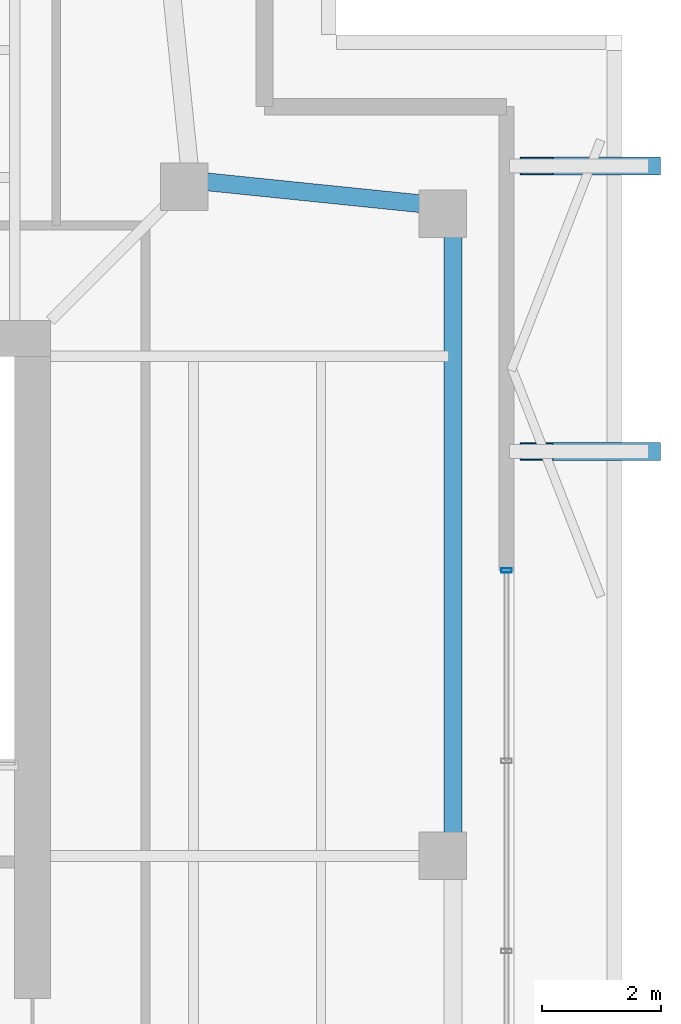
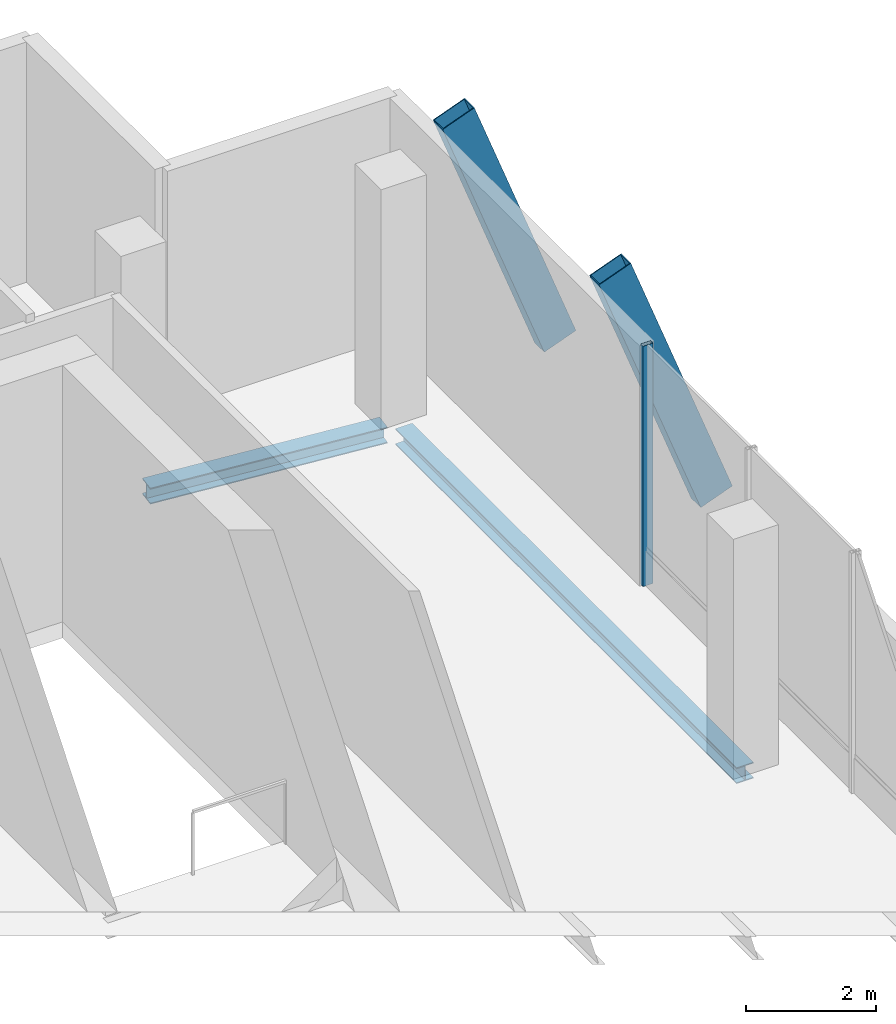
# One storey, part 9 of 15: 3 members, 2 beams, 1 element without a shape of its own.
"""IFC4 building model written with IfcOpenShell, lengths in metres."""

from ifc_helpers import new_model, si_unit, direction, frame, origin, origin_2d, place, context, subcontext, project, spatial, hollow_rectangle, i_section, extrude, material, layer, layer_set, material_profile, profile_set, type_object, element, aggregate, save


model = new_model("IFC4")

# Units and contexts
model_context = context("Model", 3, precision=1e-05, world=origin(), true_north=direction((0.0, 1.0)))
body_context = subcontext(model_context, "Body", "Model", "MODEL_VIEW")
ifc_project = project(units=[si_unit("LENGTHUNIT", "METRE"), si_unit("AREAUNIT", "SQUARE_METRE"), si_unit("VOLUMEUNIT", "CUBIC_METRE"), si_unit("PLANEANGLEUNIT", "RADIAN"), si_unit("MASSUNIT", "GRAM", prefix="KILO")], contexts=[model_context])

# Site, building, storey
site_placement = place(None, origin())
site = spatial("IfcSite", under=ifc_project, at=site_placement, CompositionType="ELEMENT")
building_placement = place(site_placement, origin())
building = spatial("IfcBuilding", under=site, at=building_placement, Name="Belovzor Exchange Tower", CompositionType="ELEMENT")
storey_placement = place(building_placement, frame((0.0, 0.0, 373.800048828125)))
storey = spatial("IfcBuildingStorey", under=building, at=storey_placement, Name="L93", CompositionType="ELEMENT", Elevation=373.800048828125)

# Beams
ifc_material_1 = material(Name="Steel S355", Category="steel")
ifc_material_profile_1 = material_profile(ifc_material_1, i_section(OverallWidth=0.300048828125, OverallDepth=0.300048828125, WebThickness=0.010986328125, FlangeThickness=0.01904296875, at=origin_2d()))
ifc_profile_set_1 = profile_set([ifc_material_profile_1], Name="Steel S355")
beam_type = type_object("IfcBeamType", Name="Crown Plant Primary Beam HEB 300", PredefinedType="BEAM", material=ifc_profile_set_1)
beam_1_placement = place(storey_placement, frame((44.569091796875, 29.02001953125, -0.449951171875), z_axis=(0.0, 1.0, 0.0), x_axis=(-1.0, 0.0, 0.0)))
element("IfcBeam", 1, at=beam_1_placement, inside=storey, type_object=beam_type, Name="FG-CR Crown Plant Primary Beam HEB 300", PredefinedType="BEAM", context=body_context, shape_type="SweptSolid", body=[
    extrude(i_section(OverallWidth=0.300048828125, OverallDepth=0.300048828125, WebThickness=0.010986328125, FlangeThickness=0.01904296875, at=origin_2d()), origin(), (0.0, 0.0, 1.0), 10.471923828125),
])
beam_2_placement = place(storey_placement, frame((44.35009765625, 39.73388671875, -0.449951171875), z_axis=(-0.994808635293, 0.101763348742, 0.0), x_axis=(-0.101763348742, -0.994808635293, 0.0)))
element("IfcBeam", 2, at=beam_2_placement, inside=storey, type_object=beam_type, Name="FG-CR Crown Plant Primary Beam HEB 300", PredefinedType="BEAM", context=body_context, shape_type="SweptSolid", body=[
    extrude(i_section(OverallWidth=0.300048828125, OverallDepth=0.300048828125, WebThickness=0.010986328125, FlangeThickness=0.01904296875, at=origin_2d()), origin(), (0.0, 0.0, 1.0), 3.98974609375),
])

# Curtain wall, member
ifc_material_2 = material(Name="Anodised Aluminium Framing", Category="aluminium")
ifc_layer = layer(ifc_material_2, 0.169921875)
ifc_layer_set = layer_set([ifc_layer], Name="Anodised Aluminium Framing")
curtain_wall_type = type_object("IfcCurtainWallType", Name="Stepped Crown Faceted Lantern Curtain Wall", PredefinedType="NOTDEFINED", material=ifc_layer_set)
curtain_wall_placement = place(storey_placement, origin())
curtain_wall = element("IfcCurtainWall", 3, at=curtain_wall_placement, inside=storey, type_object=curtain_wall_type, Name="CW6 Stepped Crown Faceted Lantern Curtain Wall L93", PredefinedType="NOTDEFINED")
ifc_material_3 = material(Name="Steel S355", Category="steel")
ifc_material_profile_2 = material_profile(ifc_material_3, hollow_rectangle(XDim=0.074951171875, YDim=0.179931640625, WallThickness=0.0048828125, at=origin_2d()))
ifc_profile_set_2 = profile_set([ifc_material_profile_2], Name="Steel S355")
member_type_1 = type_object("IfcMemberType", Name="Thermally Broken Curtain Wall Mullion 180x75", PredefinedType="MULLION", material=ifc_profile_set_2)
member_placement = place(storey_placement, frame((45.469970703125, 33.60009765625, 0.0), z_axis=(0.0, 0.0, 1.0), x_axis=(0.0, -1.0, 0.0)))
member = element("IfcMember", 4, at=member_placement, type_object=member_type_1, Name="CW-M180 Curtain Wall Mullion 1", PredefinedType="MULLION", context=body_context, shape_type="SweptSolid", body=[
    extrude(hollow_rectangle(XDim=0.074951171875, YDim=0.179931640625, WallThickness=0.0048828125, at=origin_2d()), origin(), (0.0, 0.0, 1.0), 4.5),
])
aggregate(curtain_wall, [member])

# Members
ifc_material_4 = material(Name="Extruded Architectural Terracotta on Steel S355 Carrier", Category="masonry")
ifc_material_profile_3 = material_profile(ifc_material_4, hollow_rectangle(XDim=0.300048828125, YDim=0.60009765625, WallThickness=0.01611328125, at=origin_2d()))
ifc_profile_set_3 = profile_set([ifc_material_profile_3], Name="Extruded Architectural Terracotta on Steel S355 Carrier")
member_type_2 = type_object("IfcMemberType", Name="Upper Crown Terracotta Fin Assembly 550", PredefinedType="USERDEFINED", material=ifc_profile_set_3)
for number, where, z_axis, x_axis, name in (
    (5, (47.77490234375, 35.60009765625, -0.300048828125), (-0.351086907552, 0.0, 0.93634287702), (0.0, -1.0, 0.0), "FIN-TC055 Terracotta Facade Fin L93 E3"),
    (6, (47.77490234375, 40.39990234375, -0.300048828125), (-0.351086907552, 0.0, 0.93634287702), (0.0, -1.0, 0.0), "FIN-TC055 Terracotta Facade Fin L93 E4"),
):
    element("IfcMember", number, at=place(storey_placement, frame(where, z_axis=z_axis, x_axis=x_axis)), inside=storey, type_object=member_type_2, Name=name, ObjectType="FIN", PredefinedType="USERDEFINED", context=body_context, shape_type="SweptSolid", body=[
        extrude(hollow_rectangle(XDim=0.300048828125, YDim=0.60009765625, WallThickness=0.01611328125, at=origin_2d()), origin(), (0.0, 0.0, 1.0), 5.12646484375),
    ])

save(model, "model.ifc")
